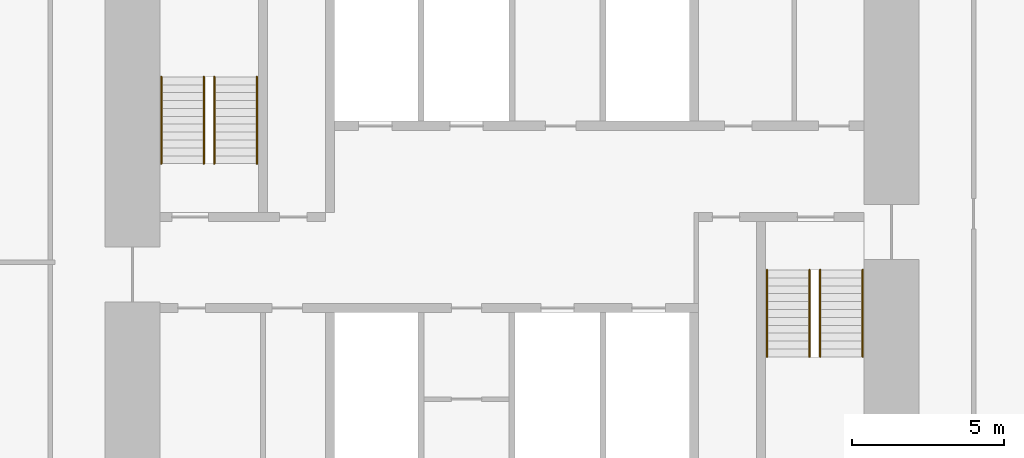
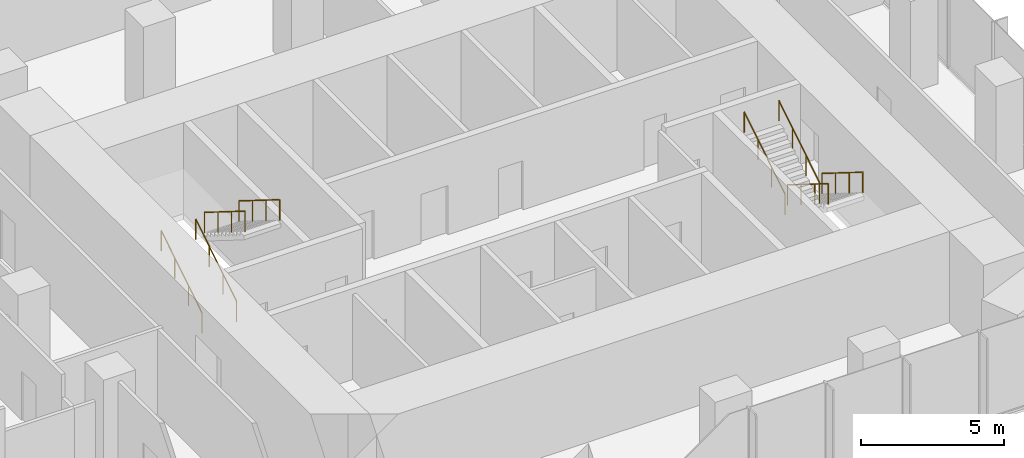
# One storey, part 11 of 11: 8 railings.
"""IFC4 building model written with IfcOpenShell, lengths in metres."""

from ifc_helpers import new_model, si_unit, direction, frame, origin, origin_2d, place, context, subcontext, project, spatial, circle, extrude, material, type_object, element, save


model = new_model("IFC4")

# Units and contexts
model_context = context("Model", 3, precision=1e-05, world=origin(), true_north=direction((0.0, 1.0)))
body_context = subcontext(model_context, "Body", "Model", "MODEL_VIEW")
ifc_project = project(units=[si_unit("LENGTHUNIT", "METRE"), si_unit("AREAUNIT", "SQUARE_METRE"), si_unit("VOLUMEUNIT", "CUBIC_METRE"), si_unit("PLANEANGLEUNIT", "RADIAN"), si_unit("MASSUNIT", "GRAM", prefix="KILO")], contexts=[model_context])

# Site, building, storey
site_placement = place(None, origin())
site = spatial("IfcSite", under=ifc_project, at=site_placement, CompositionType="ELEMENT")
building_placement = place(site_placement, origin())
building = spatial("IfcBuilding", under=site, at=building_placement, Name="Highveld Stack Headquarters", CompositionType="ELEMENT")
storey_placement = place(building_placement, frame((0.0, 0.0, 196.699951171875)))
storey = spatial("IfcBuildingStorey", under=building, at=storey_placement, Name="L48", CompositionType="ELEMENT", Elevation=196.699951171875)

# Railings
ifc_material = material(Name="Stainless steel handrail", Category="steel")
railing_type = type_object("IfcRailingType", Name="STAIR HANDRAIL HR1 900", PredefinedType="HANDRAIL", material=ifc_material)
for number, where, name in (
    (1, (-5.550048828125, 4.75, 0.16259765625), "Handrail S1 L48 flight 1"),
    (2, (-4.14990234375, 4.75, 0.16259765625), "Handrail S1 L48 flight 1"),
):
    element("IfcRailing", number, at=place(storey_placement, frame(where)), inside=storey, type_object=railing_type, Name=name, PredefinedType="HANDRAIL", context=body_context, shape_type="SweptSolid", body=[
        extrude(circle(Radius=0.02392578125, at=origin_2d()), frame((0.0, 0.0, 0.8759765625), z_axis=(0.0, 0.848026770018, 0.529953391661), x_axis=(-1.0, 0.0, 0.0)), (0.0, 0.0, 1.0), 3.37255859375),
        extrude(circle(Radius=0.02099609375, at=origin_2d()), origin(), (0.0, 0.0, 1.0), 0.851806640625),
        extrude(circle(Radius=0.02099609375, at=origin_2d()), frame((0.0, 0.953369140625, 0.595703125)), (0.0, 0.0, 1.0), 0.851806640625),
        extrude(circle(Radius=0.02099609375, at=origin_2d()), frame((0.0, 1.90673828125, 1.191650390625)), (0.0, 0.0, 1.0), 0.851806640625),
        extrude(circle(Radius=0.02099609375, at=origin_2d()), frame((0.0, 2.860107421875, 1.787353515625)), (0.0, 0.0, 1.0), 0.851806640625),
    ])
for number, where, name in (
    (3, (-3.800048828125, 7.610107421875, 2.112548828125), "Handrail S1 L48 flight 2"),
    (4, (-2.39990234375, 7.610107421875, 2.112548828125), "Handrail S1 L48 flight 2"),
):
    element("IfcRailing", number, at=place(storey_placement, frame(where)), inside=storey, type_object=railing_type, Name=name, PredefinedType="HANDRAIL", context=body_context, shape_type="SweptSolid", body=[
        extrude(circle(Radius=0.02392578125, at=origin_2d()), frame((0.0, 0.0, 0.8759765625), z_axis=(0.0, -0.847994237388, 0.530005446535), x_axis=(1.0, 0.0, 0.0)), (0.0, 0.0, 1.0), 3.372802734375),
        extrude(circle(Radius=0.02099609375, at=origin_2d()), origin(), (0.0, 0.0, 1.0), 0.851806640625),
        extrude(circle(Radius=0.02099609375, at=origin_2d()), frame((0.0, -0.953369140625, 0.595947265625)), (0.0, 0.0, 1.0), 0.851806640625),
        extrude(circle(Radius=0.02099609375, at=origin_2d()), frame((0.0, -1.90673828125, 1.191650390625)), (0.0, 0.0, 1.0), 0.851806640625),
        extrude(circle(Radius=0.02099609375, at=origin_2d()), frame((0.0, -2.860107421875, 1.78759765625)), (0.0, 0.0, 1.0), 0.851806640625),
    ])
for number, where, name in (
    (5, (16.14990234375, 1.25, 0.16259765625), "Handrail S2 L48 flight 1"),
    (6, (17.550048828125, 1.25, 0.16259765625), "Handrail S2 L48 flight 1"),
):
    element("IfcRailing", number, at=place(storey_placement, frame(where)), inside=storey, type_object=railing_type, Name=name, PredefinedType="HANDRAIL", context=body_context, shape_type="SweptSolid", body=[
        extrude(circle(Radius=0.02392578125, at=origin_2d()), frame((0.0, 0.0, 0.8759765625), z_axis=(0.0, -0.848026770018, 0.529953391661), x_axis=(1.0, 0.0, 0.0)), (0.0, 0.0, 1.0), 3.37255859375),
        extrude(circle(Radius=0.02099609375, at=origin_2d()), origin(), (0.0, 0.0, 1.0), 0.851806640625),
        extrude(circle(Radius=0.02099609375, at=origin_2d()), frame((0.0, -0.953369140625, 0.595703125)), (0.0, 0.0, 1.0), 0.851806640625),
        extrude(circle(Radius=0.02099609375, at=origin_2d()), frame((0.0, -1.90673828125, 1.191650390625)), (0.0, 0.0, 1.0), 0.851806640625),
        extrude(circle(Radius=0.02099609375, at=origin_2d()), frame((0.0, -2.860107421875, 1.787353515625)), (0.0, 0.0, 1.0), 0.851806640625),
    ])
for number, where, name in (
    (7, (14.39990234375, -1.610107421875, 2.112548828125), "Handrail S2 L48 flight 2"),
    (8, (15.800048828125, -1.610107421875, 2.112548828125), "Handrail S2 L48 flight 2"),
):
    element("IfcRailing", number, at=place(storey_placement, frame(where)), inside=storey, type_object=railing_type, Name=name, PredefinedType="HANDRAIL", context=body_context, shape_type="SweptSolid", body=[
        extrude(circle(Radius=0.02392578125, at=origin_2d()), frame((0.0, 0.0, 0.8759765625), z_axis=(0.0, 0.847994237388, 0.530005446535), x_axis=(-1.0, 0.0, 0.0)), (0.0, 0.0, 1.0), 3.372802734375),
        extrude(circle(Radius=0.02099609375, at=origin_2d()), origin(), (0.0, 0.0, 1.0), 0.851806640625),
        extrude(circle(Radius=0.02099609375, at=origin_2d()), frame((0.0, 0.953369140625, 0.595947265625)), (0.0, 0.0, 1.0), 0.851806640625),
        extrude(circle(Radius=0.02099609375, at=origin_2d()), frame((0.0, 1.90673828125, 1.191650390625)), (0.0, 0.0, 1.0), 0.851806640625),
        extrude(circle(Radius=0.02099609375, at=origin_2d()), frame((0.0, 2.860107421875, 1.78759765625)), (0.0, 0.0, 1.0), 0.851806640625),
    ])

save(model, "model.ifc")
